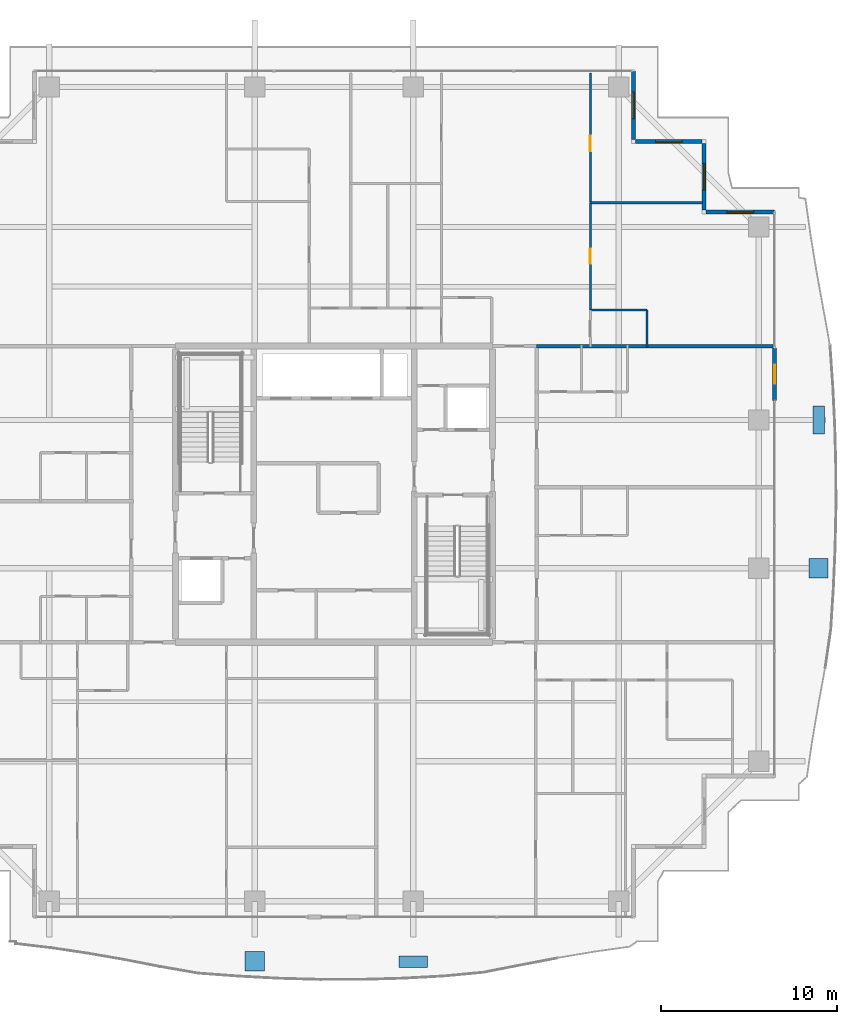
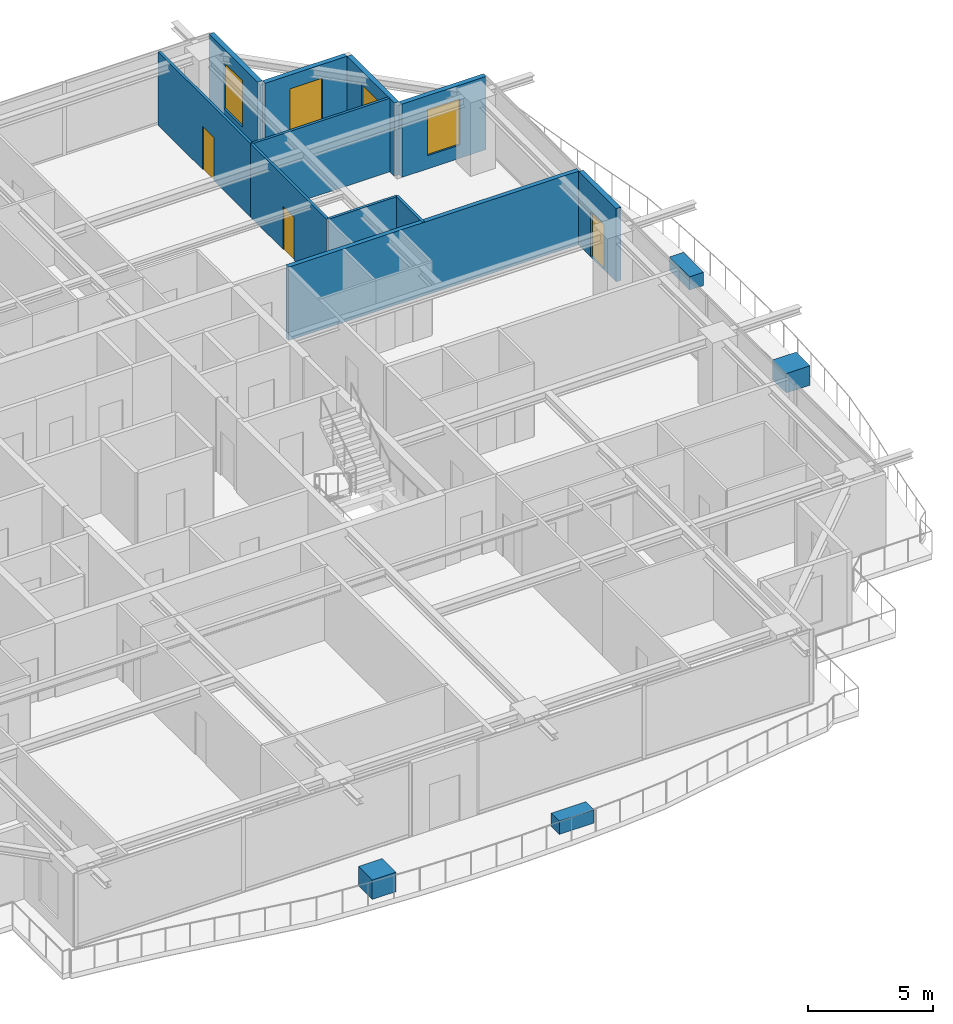
# One storey, part 30 of 37: 11 walls, 4 discrete accessories, 4 windows, 3 doors, 7 openings.
"""IFC4 building model written with IfcOpenShell, lengths in metres."""

from ifc_helpers import new_model, si_unit, direction, frame, frame_2d, origin, origin_2d, place, context, subcontext, project, spatial, rectangle, extrude, source, transform, mapped, material, layer, layer_set, type_object, element, fill, save


model = new_model("IFC4")

# Units and contexts
model_context = context("Model", 3, precision=1e-05, world=origin(), true_north=direction((0.0, 1.0)))
body_context = subcontext(model_context, "Body", "Model", "MODEL_VIEW")
ifc_project = project(units=[si_unit("LENGTHUNIT", "METRE"), si_unit("AREAUNIT", "SQUARE_METRE"), si_unit("VOLUMEUNIT", "CUBIC_METRE"), si_unit("PLANEANGLEUNIT", "RADIAN"), si_unit("MASSUNIT", "GRAM", prefix="KILO")], contexts=[model_context])

# Site, building, storey
site_placement = place(None, origin())
site = spatial("IfcSite", under=ifc_project, at=site_placement, CompositionType="ELEMENT")
building_placement = place(site_placement, origin())
building = spatial("IfcBuilding", under=site, at=building_placement, Name="Serunith Strait Residences", CompositionType="ELEMENT")
storey_placement = place(building_placement, frame((0.0, 0.0, 260.5)))
storey = spatial("IfcBuildingStorey", under=building, at=storey_placement, Name="L65", CompositionType="ELEMENT", Elevation=260.5)

# Wall, opening, door
ifc_material_1 = material(Name="Pale-Champagne Aluminium Insulated Panel", Category="aluminium")
ifc_layer_1 = layer(ifc_material_1, 0.219970703125, Name="Pale-Champagne Aluminium Insulated Panel")
ifc_layer_set_1 = layer_set([ifc_layer_1], Name="Pale-Champagne Aluminium Insulated Panel")
wall_type_1 = type_object("IfcWallType", Name="EW-ALUM-220", PredefinedType="ELEMENTEDWALL", material=ifc_layer_set_1)
wall_1_placement = place(storey_placement, frame((57.39990234375, 30.5, 0.0), z_axis=(0.0, 0.0, 1.0), x_axis=(0.0, 1.0, 0.0)))
wall_1 = element("IfcWall", 1, at=wall_1_placement, inside=storey, type_object=wall_type_1, Name="L65 E Facade Pier Wall", PredefinedType="ELEMENTEDWALL", context=body_context, shape_type="SweptSolid", body=[
    extrude(rectangle(XDim=3.0, YDim=0.219970703125, at=frame_2d((1.5, 0.0))), origin(), (0.0, 0.0, 1.0), 3.574951171875),
])
opening_1_placement = place(wall_1_placement, frame((0.949951171875, 0.0, 0.0)))
opening_1 = element("IfcOpeningElement", 2, at=opening_1_placement, cuts=wall_1, Name="Opening ED-03", PredefinedType="OPENING", context=body_context, shape_type="SweptSolid", body=[
    extrude(rectangle(XDim=1.10009765625, YDim=2.199951171875, at=frame_2d((0.550048828125, 1.10009765625))), frame((0.0, 0.1201171875, 0.0), z_axis=(0.0, -1.0, 0.0), x_axis=(1.0, 0.0, 0.0)), (0.0, 0.0, 1.0), 0.239990234375),
])
ifc_material_2 = material(Name="Thermally-Broken Aluminium Glazed Balcony Door", Category="aluminium")
door_type_1 = type_object("IfcDoorType", Name="ED-BALC-1100", OperationType="NOTDEFINED", PredefinedType="DOOR", material=ifc_material_2)
shared_shape_1 = source(origin(), body_context, "Body", "SweptSolid", [
    extrude(rectangle(XDim=1.10009765625, YDim=2.199951171875, at=frame_2d((0.550048828125, 1.10009765625))), frame((0.0, 0.02490234375, 0.0), z_axis=(0.0, -1.0, 0.0), x_axis=(1.0, 0.0, 0.0)), (0.0, 0.0, 1.0), 0.050048828125),
])
door_1_placement = place(opening_1_placement, origin())
door_1 = element("IfcDoor", 3, at=door_1_placement, inside=storey, type_object=door_type_1, Name="L65 E Vertical-Forest Balcony Door", OperationType="SINGLE_SWING_RIGHT", OverallHeight=2.199951171875, OverallWidth=1.10009765625, PredefinedType="DOOR", context=body_context, shape_type="MappedRepresentation", body=[
    mapped(shared_shape_1, transform((0.0, 0.0, 0.0), scale=1.0)),
])
fill(opening_1, door_1)

# Wall, opening, window
wall_2_placement = place(storey_placement, frame((57.39990234375, 41.199951171875, 0.0), z_axis=(0.0, 0.0, 1.0), x_axis=(-1.0, 0.0, 0.0)))
wall_2 = element("IfcWall", 4, at=wall_2_placement, inside=storey, type_object=wall_type_1, Name="L65 Girih Serrated Corner Wall 07", PredefinedType="ELEMENTEDWALL", context=body_context, shape_type="SweptSolid", body=[
    extrude(rectangle(XDim=3.889892578125, YDim=0.219970703125, at=frame_2d((1.94482421875, 0.0))), origin(), (0.0, 0.0, 1.0), 3.574951171875),
])
opening_2_placement = place(wall_2_placement, frame((1.195068359375, 0.0, 0.64990234375)))
opening_2 = element("IfcOpeningElement", 5, at=opening_2_placement, cuts=wall_2, Name="Opening W-05", PredefinedType="OPENING", context=body_context, shape_type="SweptSolid", body=[
    extrude(rectangle(XDim=1.5, YDim=2.25, at=frame_2d((0.75, 1.125))), frame((0.0, 0.1201171875, 0.0), z_axis=(0.0, -1.0, 0.0), x_axis=(1.0, 0.0, 0.0)), (0.0, 0.0, 1.0), 0.239990234375),
])
ifc_material_3 = material(Name="Ceramic-Fritted Operable Aluminium Window Glass", Category="aluminium")
window_type = type_object("IfcWindowType", Name="WIN-C5", PartitioningType="DOUBLE_PANEL_VERTICAL", PredefinedType="WINDOW", material=ifc_material_3)
shared_shape_2 = source(origin(), body_context, "Body", "SweptSolid", [
    extrude(rectangle(XDim=1.5, YDim=2.25, at=frame_2d((0.75, 1.125))), frame((0.0, 0.030029296875, 0.0), z_axis=(0.0, -1.0, 0.0), x_axis=(1.0, 0.0, 0.0)), (0.0, 0.0, 1.0), 0.06005859375),
])
window_1_placement = place(opening_2_placement, origin())
window_1 = element("IfcWindow", 6, at=window_1_placement, inside=storey, type_object=window_type, Name="L65 Corner Operable Fritted Window 07", OverallHeight=2.25, OverallWidth=1.5, PartitioningType="SINGLE_PANEL", PredefinedType="WINDOW", context=body_context, shape_type="MappedRepresentation", body=[
    mapped(shared_shape_2, transform((0.0, 0.0, 0.0), scale=1.0)),
])
fill(opening_2, window_1)

wall_3_placement = place(storey_placement, frame((53.39990234375, 41.31005859375, 0.0), z_axis=(0.0, 0.0, 1.0), x_axis=(0.0, 1.0, 0.0)))
wall_3 = element("IfcWall", 7, at=wall_3_placement, inside=storey, type_object=wall_type_1, Name="L65 Girih Serrated Corner Wall 08", PredefinedType="ELEMENTEDWALL", context=body_context, shape_type="SweptSolid", body=[
    extrude(rectangle(XDim=3.780029296875, YDim=0.219970703125, at=frame_2d((1.89013671875, 0.0))), origin(), (0.0, 0.0, 1.0), 3.574951171875),
])
opening_3_placement = place(wall_3_placement, frame((1.139892578125, 0.0, 0.64990234375)))
opening_3 = element("IfcOpeningElement", 8, at=opening_3_placement, cuts=wall_3, Name="Opening W-05", PredefinedType="OPENING", context=body_context, shape_type="SweptSolid", body=[
    extrude(rectangle(XDim=1.5, YDim=2.25, at=frame_2d((0.75, 1.125))), frame((0.0, 0.1201171875, 0.0), z_axis=(0.0, -1.0, 0.0), x_axis=(1.0, 0.0, 0.0)), (0.0, 0.0, 1.0), 0.239990234375),
])
window_2_placement = place(opening_3_placement, origin())
window_2 = element("IfcWindow", 9, at=window_2_placement, inside=storey, type_object=window_type, Name="L65 Corner Operable Fritted Window 08", OverallHeight=2.25, OverallWidth=1.5, PartitioningType="SINGLE_PANEL", PredefinedType="WINDOW", context=body_context, shape_type="MappedRepresentation", body=[
    mapped(shared_shape_2, transform((0.0, 0.0, 0.0), scale=1.0)),
])
fill(opening_3, window_2)

wall_4_placement = place(storey_placement, frame((53.2900390625, 45.199951171875, 0.0), z_axis=(0.0, 0.0, 1.0), x_axis=(-1.0, 0.0, 0.0)))
wall_4 = element("IfcWall", 10, at=wall_4_placement, inside=storey, type_object=wall_type_1, Name="L65 Girih Serrated Corner Wall 09", PredefinedType="ELEMENTEDWALL", context=body_context, shape_type="SweptSolid", body=[
    extrude(rectangle(XDim=3.780029296875, YDim=0.219970703125, at=frame_2d((1.89013671875, 0.0))), origin(), (0.0, 0.0, 1.0), 3.574951171875),
])
opening_4_placement = place(wall_4_placement, frame((1.139892578125, 0.0, 0.64990234375)))
opening_4 = element("IfcOpeningElement", 11, at=opening_4_placement, cuts=wall_4, Name="Opening W-05", PredefinedType="OPENING", context=body_context, shape_type="SweptSolid", body=[
    extrude(rectangle(XDim=1.5, YDim=2.25, at=frame_2d((0.75, 1.125))), frame((0.0, 0.1201171875, 0.0), z_axis=(0.0, -1.0, 0.0), x_axis=(1.0, 0.0, 0.0)), (0.0, 0.0, 1.0), 0.239990234375),
])
window_3_placement = place(opening_4_placement, origin())
window_3 = element("IfcWindow", 12, at=window_3_placement, inside=storey, type_object=window_type, Name="L65 Corner Operable Fritted Window 09", OverallHeight=2.25, OverallWidth=1.5, PartitioningType="SINGLE_PANEL", PredefinedType="WINDOW", context=body_context, shape_type="MappedRepresentation", body=[
    mapped(shared_shape_2, transform((0.0, 0.0, 0.0), scale=1.0)),
])
fill(opening_4, window_3)

wall_5_placement = place(storey_placement, frame((49.39990234375, 45.31005859375, 0.0), z_axis=(0.0, 0.0, 1.0), x_axis=(0.0, 1.0, 0.0)))
wall_5 = element("IfcWall", 13, at=wall_5_placement, inside=storey, type_object=wall_type_1, Name="L65 Girih Serrated Corner Wall 10", PredefinedType="ELEMENTEDWALL", context=body_context, shape_type="SweptSolid", body=[
    extrude(rectangle(XDim=3.889892578125, YDim=0.219970703125, at=frame_2d((1.94482421875, 0.0))), origin(), (0.0, 0.0, 1.0), 3.574951171875),
])
opening_5_placement = place(wall_5_placement, frame((1.195068359375, 0.0, 0.64990234375)))
opening_5 = element("IfcOpeningElement", 14, at=opening_5_placement, cuts=wall_5, Name="Opening W-05", PredefinedType="OPENING", context=body_context, shape_type="SweptSolid", body=[
    extrude(rectangle(XDim=1.5, YDim=2.25, at=frame_2d((0.75, 1.125))), frame((0.0, 0.1201171875, 0.0), z_axis=(0.0, -1.0, 0.0), x_axis=(1.0, 0.0, 0.0)), (0.0, 0.0, 1.0), 0.239990234375),
])
window_4_placement = place(opening_5_placement, origin())
window_4 = element("IfcWindow", 15, at=window_4_placement, inside=storey, type_object=window_type, Name="L65 Corner Operable Fritted Window 10", OverallHeight=2.25, OverallWidth=1.5, PartitioningType="SINGLE_PANEL", PredefinedType="WINDOW", context=body_context, shape_type="MappedRepresentation", body=[
    mapped(shared_shape_2, transform((0.0, 0.0, 0.0), scale=1.0)),
])
fill(opening_5, window_4)

# Wall, opening, door
ifc_material_4 = material(Name="Lightweight steel-stud gypsum partition", Category="steel")
ifc_layer_2 = layer(ifc_material_4, 0.1201171875, Name="Lightweight steel-stud gypsum partition")
ifc_layer_set_2 = layer_set([ifc_layer_2], Name="Lightweight steel-stud gypsum partition")
wall_type_2 = type_object("IfcWallType", Name="IW-PART-120", PredefinedType="PARTITIONING", material=ifc_layer_set_2)
wall_6_placement = place(storey_placement, frame((46.949951171875, 49.10498046875, 0.0), z_axis=(0.0, 0.0, 1.0), x_axis=(0.0, -1.0, 0.0)))
wall_6 = element("IfcWall", 16, at=wall_6_placement, inside=storey, type_object=wall_type_2, Name="L65 Partition Wall 076", PredefinedType="PARTITIONING", context=body_context, shape_type="SweptSolid", body=[
    extrude(rectangle(XDim=7.373046875, YDim=0.1201171875, at=frame_2d((3.6865234375, 0.0))), origin(), (0.0, 0.0, 1.0), 3.590087890625),
])
opening_6_placement = place(wall_6_placement, frame((3.56005859375, 0.0, 0.0)))
opening_6 = element("IfcOpeningElement", 17, at=opening_6_placement, cuts=wall_6, Name="Opening D-RM900", PredefinedType="OPENING", context=body_context, shape_type="SweptSolid", body=[
    extrude(rectangle(XDim=0.89990234375, YDim=2.10009765625, at=frame_2d((0.449951171875, 1.050048828125))), frame((0.0, 0.070068359375, 0.0), z_axis=(0.0, -1.0, 0.0), x_axis=(1.0, 0.0, 0.0)), (0.0, 0.0, 1.0), 0.14013671875),
])
ifc_material_5 = material(Name="Engineered timber flush bedroom door", Category="wood")
door_type_2 = type_object("IfcDoorType", Name="ID-ROOM-900", OperationType="NOTDEFINED", PredefinedType="DOOR", material=ifc_material_5)
shared_shape_3 = source(origin(), body_context, "Body", "SweptSolid", [
    extrude(rectangle(XDim=0.89990234375, YDim=2.10009765625, at=frame_2d((0.449951171875, 1.050048828125))), frame((0.0, 0.02490234375, 0.0), z_axis=(0.0, -1.0, 0.0), x_axis=(1.0, 0.0, 0.0)), (0.0, 0.0, 1.0), 0.050048828125),
])
door_2_placement = place(opening_6_placement, origin())
door_2 = element("IfcDoor", 18, at=door_2_placement, inside=storey, type_object=door_type_2, Name="L65 Bedroom 3 6503 Door", OperationType="SINGLE_SWING_LEFT", OverallHeight=2.10009765625, OverallWidth=0.89990234375, PredefinedType="DOOR", context=body_context, shape_type="MappedRepresentation", body=[
    mapped(shared_shape_3, transform((0.0, 0.0, 0.0), scale=1.0)),
])
fill(opening_6, door_2)

# Walls
wall_7_placement = place(storey_placement, frame((46.949951171875, 41.73193359375, 0.0), z_axis=(0.0, 0.0, 1.0), x_axis=(1.0, 0.0, 0.0)))
element("IfcWall", 19, at=wall_7_placement, inside=storey, type_object=wall_type_2, Name="L65 Partition Wall 077", PredefinedType="PARTITIONING", context=body_context, shape_type="SweptSolid", body=[
    extrude(rectangle(XDim=6.35498046875, YDim=0.1201171875, at=frame_2d((3.177490234375, 0.0))), origin(), (0.0, 0.0, 1.0), 3.590087890625),
])
wall_8_placement = place(storey_placement, frame((46.949951171875, 35.64990234375, 0.0), z_axis=(0.0, 0.0, 1.0), x_axis=(1.0, 0.0, 0.0)))
element("IfcWall", 20, at=wall_8_placement, inside=storey, type_object=wall_type_2, Name="L65 Partition Wall 078", PredefinedType="PARTITIONING", context=body_context, shape_type="SweptSolid", body=[
    extrude(rectangle(XDim=3.199951171875, YDim=0.1201171875, at=frame_2d((1.60009765625, 0.0))), origin(), (0.0, 0.0, 1.0), 3.590087890625),
])
wall_9_placement = place(storey_placement, frame((50.14990234375, 35.64990234375, 0.0), z_axis=(0.0, 0.0, 1.0), x_axis=(0.0, -1.0, 0.0)))
element("IfcWall", 21, at=wall_9_placement, inside=storey, type_object=wall_type_2, Name="L65 Partition Wall 079", PredefinedType="PARTITIONING", context=body_context, shape_type="SweptSolid", body=[
    extrude(rectangle(XDim=2.10986328125, YDim=0.1201171875, at=frame_2d((1.054931640625, 0.0))), origin(), (0.0, 0.0, 1.0), 3.590087890625),
])

# Wall, opening, door
wall_10_placement = place(storey_placement, frame((46.949951171875, 41.72998046875, 0.0), z_axis=(0.0, 0.0, 1.0), x_axis=(0.0, -1.0, 0.0)))
wall_10 = element("IfcWall", 22, at=wall_10_placement, inside=storey, type_object=wall_type_2, Name="L65 Partition Wall 080", PredefinedType="PARTITIONING", context=body_context, shape_type="SweptSolid", body=[
    extrude(rectangle(XDim=6.080078125, YDim=0.1201171875, at=frame_2d((3.0400390625, 0.0))), origin(), (0.0, 0.0, 1.0), 3.590087890625),
])
opening_7_placement = place(wall_10_placement, frame((2.614990234375, 0.0, 0.0)))
opening_7 = element("IfcOpeningElement", 23, at=opening_7_placement, cuts=wall_10, Name="Opening D-RM850", PredefinedType="OPENING", context=body_context, shape_type="SweptSolid", body=[
    extrude(rectangle(XDim=0.85009765625, YDim=2.10009765625, at=frame_2d((0.425048828125, 1.050048828125))), frame((0.0, 0.070068359375, 0.0), z_axis=(0.0, -1.0, 0.0), x_axis=(1.0, 0.0, 0.0)), (0.0, 0.0, 1.0), 0.14013671875),
])
ifc_material_6 = material(Name="Engineered timber flush study and kitchen door", Category="wood")
door_type_3 = type_object("IfcDoorType", Name="ID-ROOM-850", OperationType="NOTDEFINED", PredefinedType="DOOR", material=ifc_material_6)
shared_shape_4 = source(origin(), body_context, "Body", "SweptSolid", [
    extrude(rectangle(XDim=0.85009765625, YDim=2.10009765625, at=frame_2d((0.425048828125, 1.050048828125))), frame((0.0, 0.02490234375, 0.0), z_axis=(0.0, -1.0, 0.0), x_axis=(1.0, 0.0, 0.0)), (0.0, 0.0, 1.0), 0.050048828125),
])
door_3_placement = place(opening_7_placement, origin())
door_3 = element("IfcDoor", 24, at=door_3_placement, inside=storey, type_object=door_type_3, Name="L65 Walk-in Wardrobe 6503 Door", OperationType="SINGLE_SWING_RIGHT", OverallHeight=2.10009765625, OverallWidth=0.85009765625, PredefinedType="DOOR", context=body_context, shape_type="MappedRepresentation", body=[
    mapped(shared_shape_4, transform((0.0, 0.0, 0.0), scale=1.0)),
])
fill(opening_7, door_3)

# Wall
ifc_material_7 = material(Name="Twin-stud acoustic gypsum board partition")
ifc_layer_3 = layer(ifc_material_7, 0.199951171875, Name="Twin-stud acoustic gypsum board partition")
ifc_layer_set_3 = layer_set([ifc_layer_3], Name="Twin-stud acoustic gypsum board partition")
wall_type_3 = type_object("IfcWallType", Name="IW-PARTY-200", PredefinedType="PARTITIONING", material=ifc_layer_set_3)
wall_11_placement = place(storey_placement, frame((43.89990234375, 33.60009765625, 0.0), z_axis=(0.0, 0.0, 1.0), x_axis=(1.0, 0.0, 0.0)))
element("IfcWall", 25, at=wall_11_placement, inside=storey, type_object=wall_type_3, Name="L65 Partition Wall 025", PredefinedType="PARTITIONING", context=body_context, shape_type="SweptSolid", body=[
    extrude(rectangle(XDim=13.418212890625, YDim=0.199951171875, at=frame_2d((6.708984375, 0.0))), origin(), (0.0, 0.0, 1.0), 3.590087890625),
])

# Discrete accessories
ifc_material_8 = material(Name="GFRC Root-Anchored Structural Planter")
discrete_accessory_type_1 = type_object("IfcDiscreteAccessoryType", Name="ACC-PLANTER-TREE", PredefinedType="USERDEFINED", material=ifc_material_8)
shared_shape_5 = source(origin(), body_context, "Body", "SweptSolid", [
    extrude(rectangle(XDim=1.10009765625, YDim=1.10009765625, at=origin_2d()), origin(), (0.0, 0.0, 1.0), 0.949951171875),
])
for number, where, z_axis, x_axis, name in (
    (26, (27.89990234375, -1.3037109375, -0.0498046875), (0.0, 0.0, 1.0), (1.0, 0.0, 0.0), "L65 Vertical-Forest Tree Planter 02"),
    (27, (59.89111328125, 21.0, -0.0498046875), (0.0, 0.0, 1.0), (0.0, 1.0, 0.0), "L65 Vertical-Forest Tree Planter 10"),
):
    element("IfcDiscreteAccessory", number, at=place(storey_placement, frame(where, z_axis=z_axis, x_axis=x_axis)), inside=storey, type_object=discrete_accessory_type_1, Name=name, ObjectType="PLANTER", PredefinedType="USERDEFINED", context=body_context, shape_type="MappedRepresentation", body=[
        mapped(shared_shape_5, transform((0.0, 0.0, 0.0), scale=1.0)),
    ])
ifc_material_9 = material(Name="GFRC Irrigated Shrub Trough Planter")
discrete_accessory_type_2 = type_object("IfcDiscreteAccessoryType", Name="ACC-PLANTER-SHRUB", PredefinedType="USERDEFINED", material=ifc_material_9)
shared_shape_6 = source(origin(), body_context, "Body", "SweptSolid", [
    extrude(rectangle(XDim=1.60009765625, YDim=0.64990234375, at=origin_2d()), origin(), (0.0, 0.0, 1.0), 0.64990234375),
])
for number, where, z_axis, x_axis, name in (
    (28, (36.89990234375, -1.342529296875, -0.050048828125), (0.0, 0.0, 1.0), (1.0, 0.0, 0.0), "L65 Vertical-Forest Shrub Planter 03"),
    (29, (59.905517578125, 29.39990234375, -0.050048828125), (0.0, 0.0, 1.0), (0.0, 1.0, 0.0), "L65 Vertical-Forest Shrub Planter 11"),
):
    element("IfcDiscreteAccessory", number, at=place(storey_placement, frame(where, z_axis=z_axis, x_axis=x_axis)), inside=storey, type_object=discrete_accessory_type_2, Name=name, ObjectType="PLANTER", PredefinedType="USERDEFINED", context=body_context, shape_type="MappedRepresentation", body=[
        mapped(shared_shape_6, transform((0.0, 0.0, 0.0), scale=1.0)),
    ])

save(model, "model.ifc")
